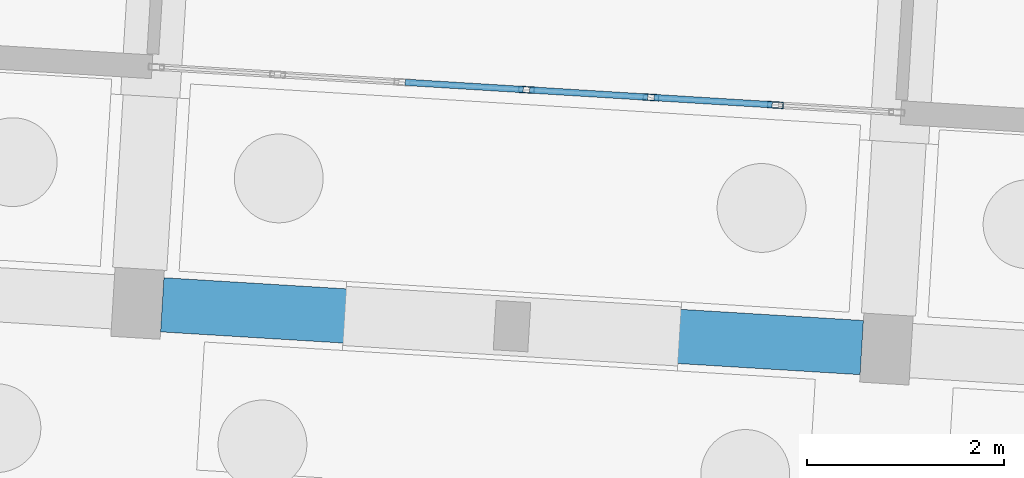
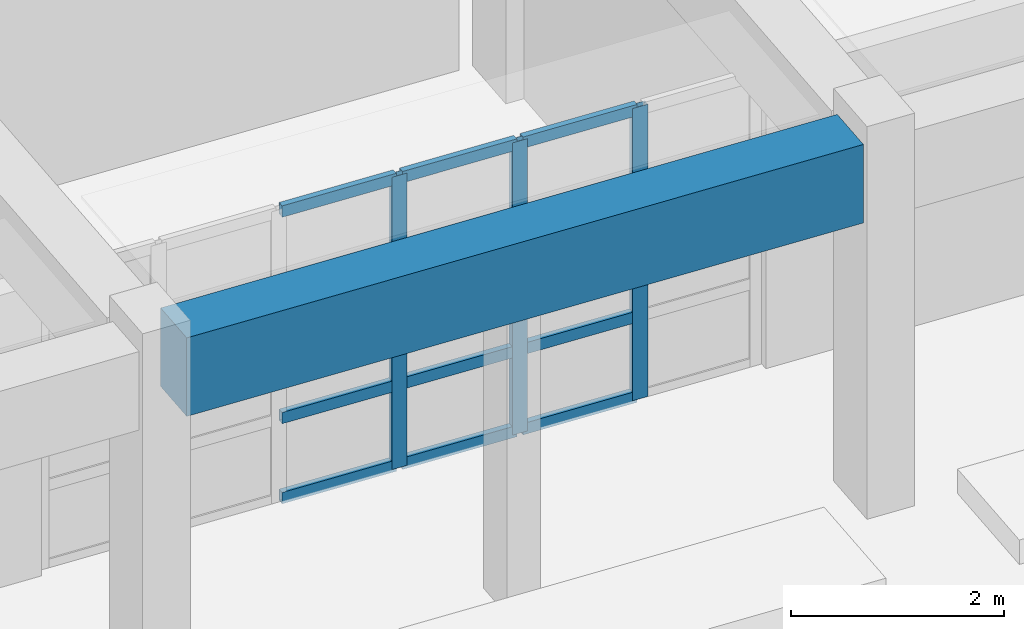
# One storey, part 48 of 154: 15 members, 1 beam, 1 element without a shape of its own.
"""IFC4 building model written with IfcOpenShell, lengths in metres."""

import ifcopenshell
import ifcopenshell.guid

model = None  # the IFC model being written
_history = None  # IfcOwnerHistory: only IFC2X3 demands one
_inside = {}  # id of a spatial element -> (the spatial element, [elements in it])
_under = {}  # id of a project, library or spatial element -> (it, [spatial elements below it])
_declared = {}  # id of a project -> (the project, [libraries it declares])
_typed = {}  # id of a type object -> (the type object, [elements of that type])
_made_of = {}  # id of a material, layer set ... -> (it, [elements and type objects made of it])


def new_model(schema):
    """Start an empty IFC model of exactly this schema.

    Asked for "IFC4X3", IfcOpenShell would pick the latest addendum, in which some entities
    have other attributes; the version numbers below select the first issue.
    IFC2X3 requires an IfcOwnerHistory on every rooted entity: one is made here for all.
    """
    global model, _history
    if schema == "IFC4X3":
        model = ifcopenshell.file(schema_version=(4, 3, 0, 0))
    else:
        model = ifcopenshell.file(schema=schema)
    _inside.clear()
    _under.clear()
    _declared.clear()
    _typed.clear()
    _made_of.clear()
    _history = None
    if model.schema == "IFC2X3":
        org = make("IfcOrganization", Name="unknown")
        user = make(
            "IfcPersonAndOrganization",
            ThePerson=make("IfcPerson", FamilyName="unknown"),
            TheOrganization=org,
        )
        app = make(
            "IfcApplication",
            ApplicationDeveloper=org,
            Version="unknown",
            ApplicationFullName="unknown",
            ApplicationIdentifier="unknown",
        )
        _history = make(
            "IfcOwnerHistory",
            OwningUser=user,
            OwningApplication=app,
            ChangeAction="ADDED",
            CreationDate=0,
        )
    return model


def make(cls, **values):
    """One entity of the class cls with the attributes given. An attribute that is None is left unset."""
    return model.create_entity(
        cls, **{name: value for name, value in values.items() if value is not None}
    )


def rooted(cls, **values):
    """An entity with a GlobalId (a new one), such as an element, a storey or a relation."""
    return make(cls, GlobalId=ifcopenshell.guid.new(), OwnerHistory=_history, **values)


def si_unit(unit_type, name, prefix=None):
    """IfcSIUnit, for example si_unit("LENGTHUNIT", "METRE", prefix="MILLI")."""
    return make("IfcSIUnit", UnitType=unit_type, Prefix=prefix, Name=name)


def assignment(units):
    """IfcUnitAssignment: the units of a project."""
    return None if units is None else make("IfcUnitAssignment", Units=units)


def point(xyz):
    """IfcCartesianPoint."""
    return None if xyz is None else make("IfcCartesianPoint", Coordinates=xyz)


def direction(xyz):
    """IfcDirection."""
    return None if xyz is None else make("IfcDirection", DirectionRatios=xyz)


def frame(location, z_axis=None, x_axis=None):
    """IfcAxis2Placement3D, a coordinate frame: its origin and axes. An axis left out is left unset."""
    return make(
        "IfcAxis2Placement3D",
        Location=point(location),
        Axis=direction(z_axis),
        RefDirection=direction(x_axis),
    )


def frame_2d(location, x_axis=None):
    """IfcAxis2Placement2D, a coordinate frame in the plane: its origin and x axis."""
    return make(
        "IfcAxis2Placement2D", Location=point(location), RefDirection=direction(x_axis)
    )


def origin():
    """The frame at (0, 0, 0) with its axes left unset."""
    return frame((0.0, 0.0, 0.0))


def origin_2d():
    """The frame at (0, 0) in the plane with its x axis left unset."""
    return frame_2d((0.0, 0.0))


def place(relative_to, where):
    """IfcLocalPlacement: puts the frame where relative to a parent placement (None: the world)."""
    return make(
        "IfcLocalPlacement", PlacementRelTo=relative_to, RelativePlacement=where
    )


def context(
    kind, dimensions, precision=None, world=None, true_north=None, identifier=None
):
    """IfcGeometricRepresentationContext, for example the 3D "Model" context."""
    return make(
        "IfcGeometricRepresentationContext",
        ContextIdentifier=identifier,
        ContextType=kind,
        CoordinateSpaceDimension=dimensions,
        Precision=precision,
        WorldCoordinateSystem=world,
        TrueNorth=true_north,
    )


def subcontext(parent, identifier, kind, view, scale=None):
    """IfcGeometricRepresentationSubContext, for example "Body" below "Model"."""
    return make(
        "IfcGeometricRepresentationSubContext",
        ContextIdentifier=identifier,
        ContextType=kind,
        ParentContext=parent,
        TargetScale=scale,
        TargetView=view,
    )


def project(units=None, contexts=None):
    """IfcProject with its units and contexts."""
    return rooted(
        "IfcProject",
        Name="project",
        RepresentationContexts=contexts,
        UnitsInContext=assignment(units),
    )


def spatial(cls, under=None, at=None, **own):
    """A site, building, storey or space (cls), placed at a placement, below another one or the project."""
    s = rooted(cls, ObjectPlacement=at, **own)
    if under is not None:
        _under.setdefault(under.id(), (under, []))[1].append(s)
    return s


def profile(cls, at=None, kind="AREA", **sizes):
    """A parametric profile (cls). Its sizes go by their IFC names, for example OverallWidth=200.0."""
    return make(cls, ProfileType=kind, Position=at, **sizes)


def rectangle(**sizes):
    """IfcRectangleProfileDef."""
    return profile("IfcRectangleProfileDef", **sizes)


def hollow_rectangle(**sizes):
    """IfcRectangleHollowProfileDef."""
    return profile("IfcRectangleHollowProfileDef", **sizes)


def extrude(swept, where, along, depth):
    """IfcExtrudedAreaSolid: the profile swept, set in the frame where, extruded along a direction by depth."""
    return make(
        "IfcExtrudedAreaSolid",
        SweptArea=swept,
        Position=where,
        ExtrudedDirection=direction(along),
        Depth=depth,
    )


def shape(context_of_items, identifier, shape_type, items):
    """IfcShapeRepresentation: the items that make up one representation, for example the "Body"."""
    return make(
        "IfcShapeRepresentation",
        ContextOfItems=context_of_items,
        RepresentationIdentifier=identifier,
        RepresentationType=shape_type,
        Items=items,
    )


def material(Name=None, Category=None):
    """IfcMaterial."""
    return make("IfcMaterial", Name=Name, Category=Category)


def material_profile(
    of_material, cross_section, Name=None, Category=None, Priority=None
):
    """IfcMaterialProfile: a cross section and its material."""
    return make(
        "IfcMaterialProfile",
        Name=Name,
        Material=of_material,
        Profile=cross_section,
        Priority=Priority,
        Category=Category,
    )


def profile_set(profiles, Name=None, composite=None):
    """IfcMaterialProfileSet."""
    return make(
        "IfcMaterialProfileSet",
        Name=Name,
        MaterialProfiles=profiles,
        CompositeProfile=composite,
    )


def made_of(thing, what):
    """Note that an element or type object is made of a material, layer set ...; save() writes the relation."""
    if what is not None:
        _made_of.setdefault(what.id(), (what, []))[1].append(thing)
    return thing


def type_object(cls, material=None, **own):
    """A type object (cls), such as IfcWallType, which elements share."""
    return made_of(rooted(cls, **own), material)


def element(
    cls,
    number,
    at=None,
    inside=None,
    cuts=None,
    type_object=None,
    material=None,
    context=None,
    identifier="Body",
    shape_type=None,
    held_by="IfcProductDefinitionShape",
    body=None,
    shapes=None,
    **own,
):
    """One element of the class cls, such as IfcWall. Its Tag is "e" and its number.

    at: its placement. inside: the storey or other place that contains it. cuts: it is an
    opening in that element (IfcRelVoidsElement). A single representation is given by context,
    identifier, shape_type and body (its items); several are given by shapes. held_by: the class
    of the entity that holds the representations. save() writes the other relations.
    """
    e = rooted(cls, Tag="e%d" % number, ObjectPlacement=at, **own)
    if body is not None:
        shapes = [shape(context, identifier, shape_type, body)]
    if shapes is not None:
        e.Representation = make(held_by, Representations=shapes)
    if inside is not None:
        _inside.setdefault(inside.id(), (inside, []))[1].append(e)
    if cuts is not None:
        rooted(
            "IfcRelVoidsElement", RelatingBuildingElement=cuts, RelatedOpeningElement=e
        )
    if type_object is not None:
        _typed.setdefault(type_object.id(), (type_object, []))[1].append(e)
    return made_of(e, material)


def aggregate(whole, parts):
    """IfcRelAggregates: a whole, such as a stair, and the parts it consists of."""
    return rooted("IfcRelAggregates", RelatingObject=whole, RelatedObjects=parts)


def save(model, path):
    """Write the relations noted so far, then the file.

    IfcRelAggregates (storeys below a building ...), IfcRelContainedInSpatialStructure (elements
    in a storey), IfcRelDefinesByType, IfcRelAssociatesMaterial and IfcRelDeclares: one each for
    every whole, place, type object, material and project.
    """
    for whole, parts in _under.values():
        aggregate(whole, parts)
    for where, things in _inside.values():
        rooted(
            "IfcRelContainedInSpatialStructure",
            RelatedElements=things,
            RelatingStructure=where,
        )
    for kind, things in _typed.values():
        rooted("IfcRelDefinesByType", RelatedObjects=things, RelatingType=kind)
    for what, things in _made_of.values():
        rooted("IfcRelAssociatesMaterial", RelatedObjects=things, RelatingMaterial=what)
    for by, libraries in _declared.values():
        rooted("IfcRelDeclares", RelatingContext=by, RelatedDefinitions=libraries)
    model.write(path)


model = new_model("IFC4")

# Units and contexts
model_context = context("Model", 3, precision=1e-05, world=origin(), true_north=direction((0.0, 1.0)))
body_context = subcontext(model_context, "Body", "Model", "MODEL_VIEW")
ifc_project = project(units=[si_unit("LENGTHUNIT", "METRE"), si_unit("AREAUNIT", "SQUARE_METRE"), si_unit("VOLUMEUNIT", "CUBIC_METRE"), si_unit("PLANEANGLEUNIT", "RADIAN"), si_unit("MASSUNIT", "GRAM", prefix="KILO")], contexts=[model_context])

# Site, building, storey
site_placement = place(None, origin())
site = spatial("IfcSite", under=ifc_project, at=site_placement, CompositionType="ELEMENT")
building_placement = place(site_placement, origin())
building = spatial("IfcBuilding", under=site, at=building_placement, Name="Kestramere Prow Commons", CompositionType="ELEMENT")
storey_placement = place(building_placement, origin())
storey = spatial("IfcBuildingStorey", under=building, at=storey_placement, Name="L00", CompositionType="ELEMENT", Elevation=0.0)

# Curtain wall, members
ifc_material_1 = material(Name="Anodised Aluminium and Low-E Glass", Category="aluminium")
curtain_wall_type = type_object("IfcCurtainWallType", Name="CW-07 Glazed Curtain Wall 7580x3350", PredefinedType="USERDEFINED", material=ifc_material_1)
curtain_wall_placement = place(storey_placement, origin())
curtain_wall = element("IfcCurtainWall", 1, at=curtain_wall_placement, inside=storey, type_object=curtain_wall_type, Name="Block C L00 South Colonnade Storefront 5", ObjectType="GLAZED CURTAIN WALL", PredefinedType="USERDEFINED")
ifc_material_2 = material(Name="Anodised Aluminium 6063-T6", Category="aluminium")
ifc_material_profile_1 = material_profile(ifc_material_2, hollow_rectangle(XDim=0.06494140625, YDim=0.159912109375, WallThickness=0.00390625, at=origin_2d()), Name="ALU-MUL 65x160")
ifc_profile_set_1 = profile_set([ifc_material_profile_1], Name="Anodised Aluminium 6063-T6")
member_type_1 = type_object("IfcMemberType", Name="CW-MUL-65x160", PredefinedType="MULLION", material=ifc_profile_set_1)
member_1_placement = place(storey_placement, frame((96.3046875, 46.6533203125, 0.0), z_axis=(0.0, 0.0, 1.0), x_axis=(-0.061048554987, -0.998134797477, 0.0)))
member_1 = element("IfcMember", 2, at=member_1_placement, type_object=member_type_1, Name="CW-07 mullion 2", PredefinedType="MULLION", context=body_context, shape_type="SweptSolid", body=[
    extrude(hollow_rectangle(XDim=0.06494140625, YDim=0.159912109375, WallThickness=0.00390625, at=origin_2d()), origin(), (0.0, 0.0, 1.0), 3.35009765625),
])
member_2_placement = place(storey_placement, frame((95.043701171875, 46.73046875, 0.0), z_axis=(0.0, 0.0, 1.0), x_axis=(-0.061048554987, -0.998134797477, 0.0)))
member_2 = element("IfcMember", 3, at=member_2_placement, type_object=member_type_1, Name="CW-07 mullion 3", PredefinedType="MULLION", context=body_context, shape_type="SweptSolid", body=[
    extrude(hollow_rectangle(XDim=0.06494140625, YDim=0.159912109375, WallThickness=0.00390625, at=origin_2d()), origin(), (0.0, 0.0, 1.0), 3.35009765625),
])
member_3_placement = place(storey_placement, frame((93.78271484375, 46.8076171875, 0.0), z_axis=(0.0, 0.0, 1.0), x_axis=(-0.061048554987, -0.998134797477, 0.0)))
member_3 = element("IfcMember", 4, at=member_3_placement, type_object=member_type_1, Name="CW-07 mullion 4", PredefinedType="MULLION", context=body_context, shape_type="SweptSolid", body=[
    extrude(hollow_rectangle(XDim=0.06494140625, YDim=0.159912109375, WallThickness=0.00390625, at=origin_2d()), origin(), (0.0, 0.0, 1.0), 3.35009765625),
])
ifc_material_profile_2 = material_profile(ifc_material_2, hollow_rectangle(XDim=0.06494140625, YDim=0.1298828125, WallThickness=0.00390625, at=origin_2d()), Name="ALU-TRN 65x130")
ifc_profile_set_2 = profile_set([ifc_material_profile_2], Name="Anodised Aluminium 6063-T6")
member_type_2 = type_object("IfcMemberType", Name="CW-TRN-65x130", PredefinedType="USERDEFINED", material=ifc_profile_set_2)
member_4_placement = place(storey_placement, frame((96.272216796875, 46.655517578125, 0.032470703125), z_axis=(-0.998142682054, 0.060919506416, 0.0), x_axis=(-0.060919506416, -0.998142682054, 0.0)))
member_4 = element("IfcMember", 5, at=member_4_placement, type_object=member_type_2, Name="CW-07 transom 2.1", ObjectType="TRANSOM", PredefinedType="USERDEFINED", context=body_context, shape_type="SweptSolid", body=[
    extrude(hollow_rectangle(XDim=0.06494140625, YDim=0.1298828125, WallThickness=0.00390625, at=origin_2d()), origin(), (0.0, 0.0, 1.0), 1.1982421875),
])
member_5_placement = place(storey_placement, frame((96.272216796875, 46.655517578125, 0.949951171875), z_axis=(-0.998142682054, 0.060919506416, 0.0), x_axis=(-0.060919506416, -0.998142682054, 0.0)))
member_5 = element("IfcMember", 6, at=member_5_placement, type_object=member_type_2, Name="CW-07 transom 2.2", ObjectType="TRANSOM", PredefinedType="USERDEFINED", context=body_context, shape_type="SweptSolid", body=[
    extrude(hollow_rectangle(XDim=0.06494140625, YDim=0.1298828125, WallThickness=0.00390625, at=origin_2d()), origin(), (0.0, 0.0, 1.0), 1.1982421875),
])
member_6_placement = place(storey_placement, frame((96.272216796875, 46.655517578125, 2.5), z_axis=(-0.998142682054, 0.060919506416, 0.0), x_axis=(-0.060919506416, -0.998142682054, 0.0)))
member_6 = element("IfcMember", 7, at=member_6_placement, type_object=member_type_2, Name="CW-07 transom 2.3", ObjectType="TRANSOM", PredefinedType="USERDEFINED", context=body_context, shape_type="SweptSolid", body=[
    extrude(hollow_rectangle(XDim=0.06494140625, YDim=0.1298828125, WallThickness=0.00390625, at=origin_2d()), origin(), (0.0, 0.0, 1.0), 1.1982421875),
])
member_7_placement = place(storey_placement, frame((96.272216796875, 46.655517578125, 3.3173828125), z_axis=(-0.998142682054, 0.060919506416, 0.0), x_axis=(-0.060919506416, -0.998142682054, 0.0)))
member_7 = element("IfcMember", 8, at=member_7_placement, type_object=member_type_2, Name="CW-07 transom 2.4", ObjectType="TRANSOM", PredefinedType="USERDEFINED", context=body_context, shape_type="SweptSolid", body=[
    extrude(hollow_rectangle(XDim=0.06494140625, YDim=0.1298828125, WallThickness=0.00390625, at=origin_2d()), origin(), (0.0, 0.0, 1.0), 1.1982421875),
])
member_8_placement = place(storey_placement, frame((95.01123046875, 46.732421875, 0.032470703125), z_axis=(-0.998130272627, 0.061122490669, 0.0), x_axis=(-0.061122490669, -0.998130272627, 0.0)))
member_8 = element("IfcMember", 9, at=member_8_placement, type_object=member_type_2, Name="CW-07 transom 3.1", ObjectType="TRANSOM", PredefinedType="USERDEFINED", context=body_context, shape_type="SweptSolid", body=[
    extrude(hollow_rectangle(XDim=0.06494140625, YDim=0.1298828125, WallThickness=0.00390625, at=origin_2d()), origin(), (0.0, 0.0, 1.0), 1.1982421875),
])
member_9_placement = place(storey_placement, frame((95.01123046875, 46.732421875, 0.949951171875), z_axis=(-0.998130272627, 0.061122490669, 0.0), x_axis=(-0.061122490669, -0.998130272627, 0.0)))
member_9 = element("IfcMember", 10, at=member_9_placement, type_object=member_type_2, Name="CW-07 transom 3.2", ObjectType="TRANSOM", PredefinedType="USERDEFINED", context=body_context, shape_type="SweptSolid", body=[
    extrude(hollow_rectangle(XDim=0.06494140625, YDim=0.1298828125, WallThickness=0.00390625, at=origin_2d()), origin(), (0.0, 0.0, 1.0), 1.1982421875),
])
member_10_placement = place(storey_placement, frame((95.01123046875, 46.732421875, 2.5), z_axis=(-0.998130272627, 0.061122490669, 0.0), x_axis=(-0.061122490669, -0.998130272627, 0.0)))
member_10 = element("IfcMember", 11, at=member_10_placement, type_object=member_type_2, Name="CW-07 transom 3.3", ObjectType="TRANSOM", PredefinedType="USERDEFINED", context=body_context, shape_type="SweptSolid", body=[
    extrude(hollow_rectangle(XDim=0.06494140625, YDim=0.1298828125, WallThickness=0.00390625, at=origin_2d()), origin(), (0.0, 0.0, 1.0), 1.1982421875),
])
member_11_placement = place(storey_placement, frame((95.01123046875, 46.732421875, 3.3173828125), z_axis=(-0.998130272627, 0.061122490669, 0.0), x_axis=(-0.061122490669, -0.998130272627, 0.0)))
member_11 = element("IfcMember", 12, at=member_11_placement, type_object=member_type_2, Name="CW-07 transom 3.4", ObjectType="TRANSOM", PredefinedType="USERDEFINED", context=body_context, shape_type="SweptSolid", body=[
    extrude(hollow_rectangle(XDim=0.06494140625, YDim=0.1298828125, WallThickness=0.00390625, at=origin_2d()), origin(), (0.0, 0.0, 1.0), 1.1982421875),
])
member_12_placement = place(storey_placement, frame((93.750244140625, 46.8095703125, 0.032470703125), z_axis=(-0.998130272627, 0.061122490669, 0.0), x_axis=(-0.061122490669, -0.998130272627, 0.0)))
member_12 = element("IfcMember", 13, at=member_12_placement, type_object=member_type_2, Name="CW-07 transom 4.1", ObjectType="TRANSOM", PredefinedType="USERDEFINED", context=body_context, shape_type="SweptSolid", body=[
    extrude(hollow_rectangle(XDim=0.06494140625, YDim=0.1298828125, WallThickness=0.00390625, at=origin_2d()), origin(), (0.0, 0.0, 1.0), 1.1982421875),
])
member_13_placement = place(storey_placement, frame((93.750244140625, 46.8095703125, 0.949951171875), z_axis=(-0.998130272627, 0.061122490669, 0.0), x_axis=(-0.061122490669, -0.998130272627, 0.0)))
member_13 = element("IfcMember", 14, at=member_13_placement, type_object=member_type_2, Name="CW-07 transom 4.2", ObjectType="TRANSOM", PredefinedType="USERDEFINED", context=body_context, shape_type="SweptSolid", body=[
    extrude(hollow_rectangle(XDim=0.06494140625, YDim=0.1298828125, WallThickness=0.00390625, at=origin_2d()), origin(), (0.0, 0.0, 1.0), 1.1982421875),
])
member_14_placement = place(storey_placement, frame((93.750244140625, 46.8095703125, 2.5), z_axis=(-0.998130272627, 0.061122490669, 0.0), x_axis=(-0.061122490669, -0.998130272627, 0.0)))
member_14 = element("IfcMember", 15, at=member_14_placement, type_object=member_type_2, Name="CW-07 transom 4.3", ObjectType="TRANSOM", PredefinedType="USERDEFINED", context=body_context, shape_type="SweptSolid", body=[
    extrude(hollow_rectangle(XDim=0.06494140625, YDim=0.1298828125, WallThickness=0.00390625, at=origin_2d()), origin(), (0.0, 0.0, 1.0), 1.1982421875),
])
member_15_placement = place(storey_placement, frame((93.750244140625, 46.8095703125, 3.3173828125), z_axis=(-0.998130272627, 0.061122490669, 0.0), x_axis=(-0.061122490669, -0.998130272627, 0.0)))
member_15 = element("IfcMember", 16, at=member_15_placement, type_object=member_type_2, Name="CW-07 transom 4.4", ObjectType="TRANSOM", PredefinedType="USERDEFINED", context=body_context, shape_type="SweptSolid", body=[
    extrude(hollow_rectangle(XDim=0.06494140625, YDim=0.1298828125, WallThickness=0.00390625, at=origin_2d()), origin(), (0.0, 0.0, 1.0), 1.1982421875),
])
aggregate(curtain_wall, [member_1, member_2, member_3, member_4, member_5, member_6, member_7, member_8, member_9, member_10, member_11, member_12, member_13, member_14, member_15])

# Beam
ifc_material_3 = material(Name="Precast concrete C40/50", Category="concrete")
ifc_material_profile_3 = material_profile(ifc_material_3, rectangle(XDim=0.550048828125, YDim=0.89990234375, at=origin_2d()), Name="PC-TG 550x900")
ifc_profile_set_3 = profile_set([ifc_material_profile_3], Name="Precast concrete C40/50")
beam_type = type_object("IfcBeamType", Name="TG-01 PC-TG 550x900 (EX)", PredefinedType="BEAM", material=ifc_profile_set_3)
beam_placement = place(storey_placement, frame((90.0927734375, 44.62890625, 3.800048828125), z_axis=(0.998133600873, -0.061068116134, 0.0), x_axis=(0.061068116134, 0.998133600873, 0.0)))
element("IfcBeam", 17, at=beam_placement, inside=storey, type_object=beam_type, Name="Block C L00 Longitudinal Beam 1-5", PredefinedType="BEAM", context=body_context, shape_type="SweptSolid", body=[
    extrude(rectangle(XDim=0.550048828125, YDim=0.89990234375, at=origin_2d()), origin(), (0.0, 0.0, 1.0), 7.10009765625),
])

save(model, "model.ifc")
